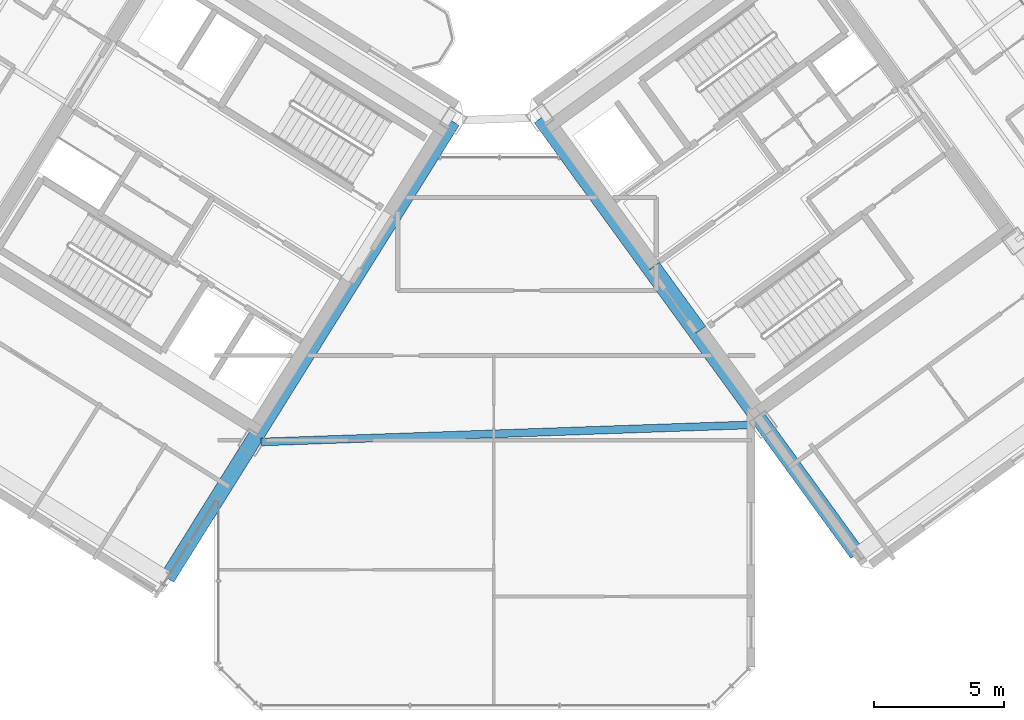
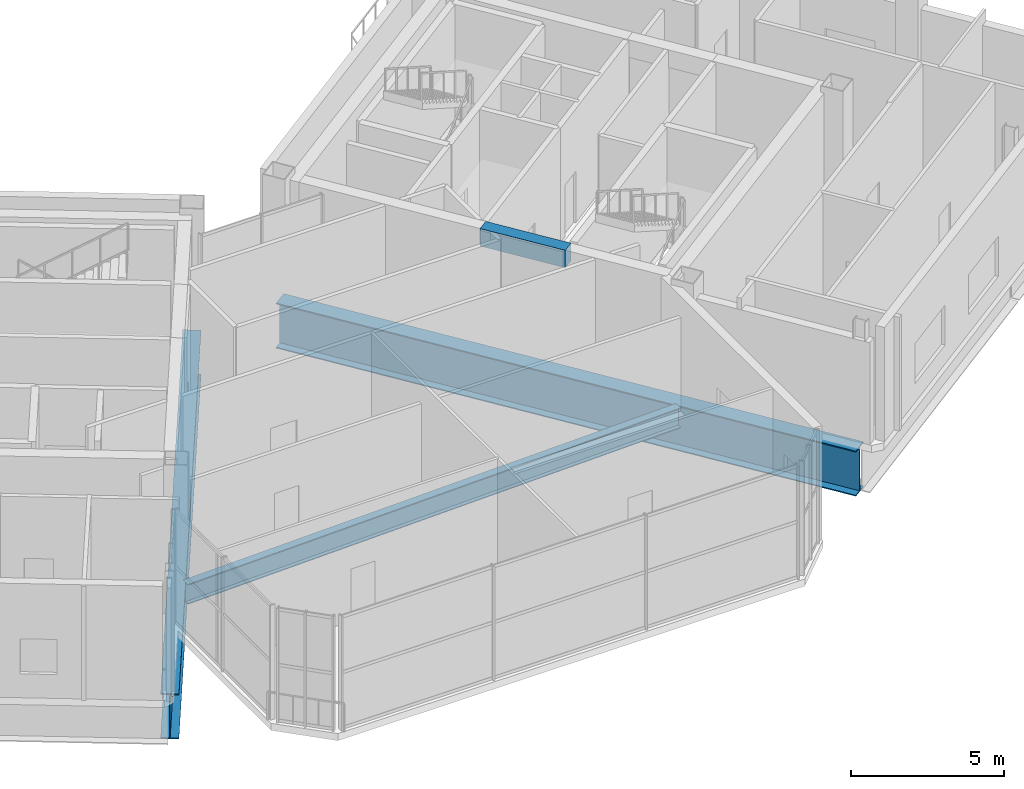
# One storey, part 9 of 26: 4 beams.
"""IFC4 building model written with IfcOpenShell, lengths in metres."""

from ifc_helpers import new_model, si_unit, direction, frame, origin, origin_2d, place, context, subcontext, project, spatial, rectangle, i_section, extrude, source, transform, mapped, material, material_profile, profile_set, type_object, element, save


model = new_model("IFC4")

# Units and contexts
model_context = context("Model", 3, precision=1e-05, world=origin(), true_north=direction((0.0, 1.0)))
body_context = subcontext(model_context, "Body", "Model", "MODEL_VIEW")
ifc_project = project(units=[si_unit("LENGTHUNIT", "METRE"), si_unit("AREAUNIT", "SQUARE_METRE"), si_unit("VOLUMEUNIT", "CUBIC_METRE"), si_unit("PLANEANGLEUNIT", "RADIAN"), si_unit("MASSUNIT", "GRAM", prefix="KILO")], contexts=[model_context])

# Site, building, storey
site_placement = place(None, origin())
site = spatial("IfcSite", under=ifc_project, at=site_placement, CompositionType="ELEMENT")
building_placement = place(site_placement, origin())
building = spatial("IfcBuilding", under=site, at=building_placement, Name="Tlacorven Tower", CompositionType="ELEMENT")
storey_placement = place(building_placement, frame((0.0, 0.0, 233.699951171875)))
storey = spatial("IfcBuildingStorey", under=building, at=storey_placement, Name="L59", CompositionType="ELEMENT", Elevation=233.699951171875)

# Beams
ifc_material_1 = material(Name="Concrete C60/75", Category="concrete")
ifc_material_profile_1 = material_profile(ifc_material_1, rectangle(XDim=0.449951171875, YDim=0.699951171875, at=origin_2d()), Name="RC 450X700")
ifc_profile_set_1 = profile_set([ifc_material_profile_1], Name="Concrete C60/75")
beam_type_1 = type_object("IfcBeamType", Name="BM-LNT-700", PredefinedType="LINTEL", material=ifc_profile_set_1)
shared_shape_1 = source(origin(), body_context, "Body", "SweptSolid", [
    extrude(rectangle(XDim=0.449951171875, YDim=0.699951171875, at=origin_2d()), origin(), (0.0, 0.0, 1.0), 3.050048828125),
])
beam_1_placement = place(storey_placement, frame((50.318359375, 16.416015625, 4.199951171875), z_axis=(-0.587776590479, 0.80902328748, 0.0), x_axis=(-0.80902328748, -0.587776590479, 0.0)))
element("IfcBeam", 1, at=beam_1_placement, inside=storey, type_object=beam_type_1, Name="L59 E core coupling lintel beam E1", PredefinedType="LINTEL", context=body_context, shape_type="MappedRepresentation", body=[
    mapped(shared_shape_1, transform((0.0, 0.0, 0.0), scale=1.0)),
])
ifc_material_2 = material(Name="Steel S460M", Category="steel")
ifc_material_profile_2 = material_profile(ifc_material_2, i_section(OverallWidth=0.60009765625, OverallDepth=1.800048828125, WebThickness=0.028076171875, FlangeThickness=0.0400390625, at=origin_2d()), Name="PG 1800X600X28X40")
ifc_profile_set_2 = profile_set([ifc_material_profile_2], Name="Steel S460M")
beam_type_2 = type_object("IfcBeamType", Name="BM-TRG-1800", PredefinedType="USERDEFINED", material=ifc_profile_set_2)
shared_shape_2 = source(origin(), body_context, "Body", "SweptSolid", [
    extrude(i_section(OverallWidth=0.60009765625, OverallDepth=1.800048828125, WebThickness=0.028076171875, FlangeThickness=0.0400390625, at=origin_2d()), origin(), (0.0, 0.0, 1.0), 20.72021484375),
])
for number, where, z_axis, x_axis, name in (
    (2, (40.76171875, 24.4345703125, -1.179931640625), (-0.529916326015, -0.848049932152, 0.0), (0.848049932152, -0.529916326015, 0.0), "L59 beam BM-L59-WT1-1"),
    (3, (56.326171875, 7.789794921875, -1.179931640625), (-0.587784199495, 0.809017759276, 0.0), (-0.809017759276, -0.587784199495, 0.0), "L59 beam BM-L59-ET1-1"),
):
    element("IfcBeam", number, at=place(storey_placement, frame(where, z_axis=z_axis, x_axis=x_axis)), inside=storey, type_object=beam_type_2, Name=name, ObjectType="TRANSFER GIRDER", PredefinedType="USERDEFINED", context=body_context, shape_type="MappedRepresentation", body=[
        mapped(shared_shape_2, transform((0.0, 0.0, 0.0), scale=1.0)),
    ])
ifc_material_3 = material(Name="Steel S355J2", Category="steel")
ifc_material_profile_3 = material_profile(ifc_material_3, i_section(OverallWidth=0.300048828125, OverallDepth=0.800048828125, WebThickness=0.017578125, FlangeThickness=0.032958984375, at=origin_2d()), Name="HEB 800")
ifc_profile_set_3 = profile_set([ifc_material_profile_3], Name="Steel S355J2")
beam_type_3 = type_object("IfcBeamType", Name="BM-POD-800", PredefinedType="BEAM", material=ifc_profile_set_3)
shared_shape_3 = source(origin(), body_context, "Body", "SweptSolid", [
    extrude(i_section(OverallWidth=0.300048828125, OverallDepth=0.800048828125, WebThickness=0.017578125, FlangeThickness=0.032958984375, at=origin_2d()), origin(), (0.0, 0.0, 1.0), 18.97119140625),
])
beam_2_placement = place(storey_placement, frame((33.39599609375, 12.09912109375, -0.679931640625), z_axis=(0.999390787537, 0.034900627304, 0.0), x_axis=(-0.034900627304, 0.999390787537, 0.0)))
element("IfcBeam", 4, at=beam_2_placement, inside=storey, type_object=beam_type_3, Name="L59 Knuckle Link Girder 2", PredefinedType="BEAM", context=body_context, shape_type="MappedRepresentation", body=[
    mapped(shared_shape_3, transform((0.0, 0.0, 0.0), scale=1.0)),
])

save(model, "model.ifc")
